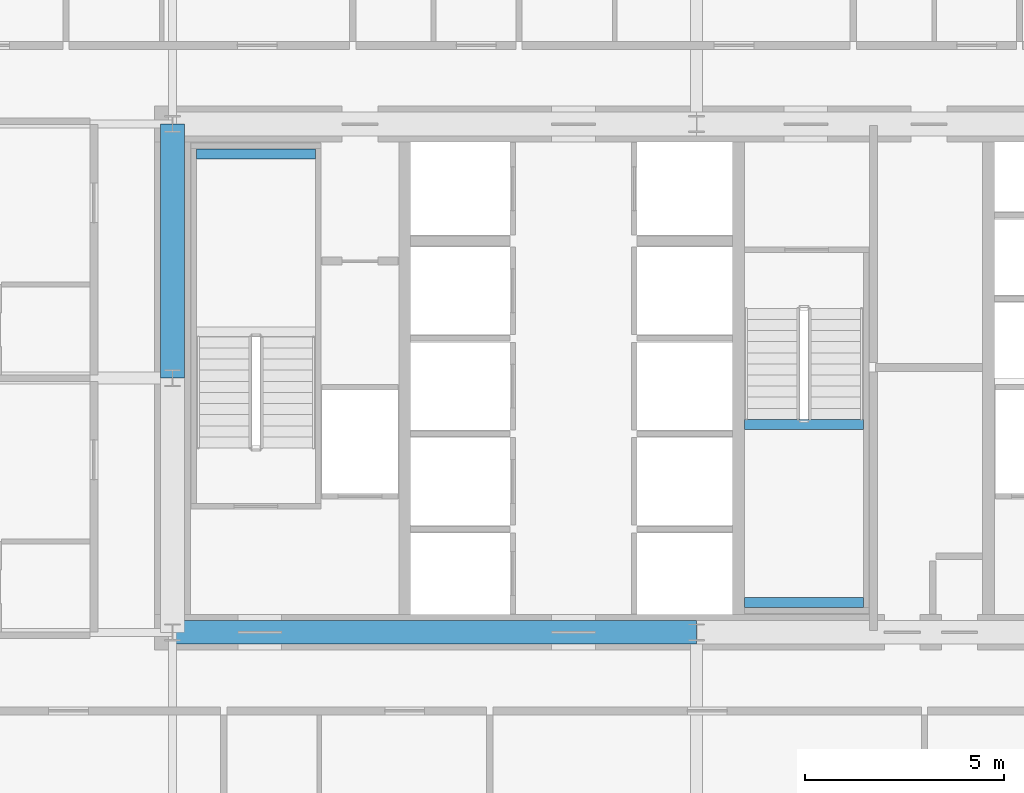
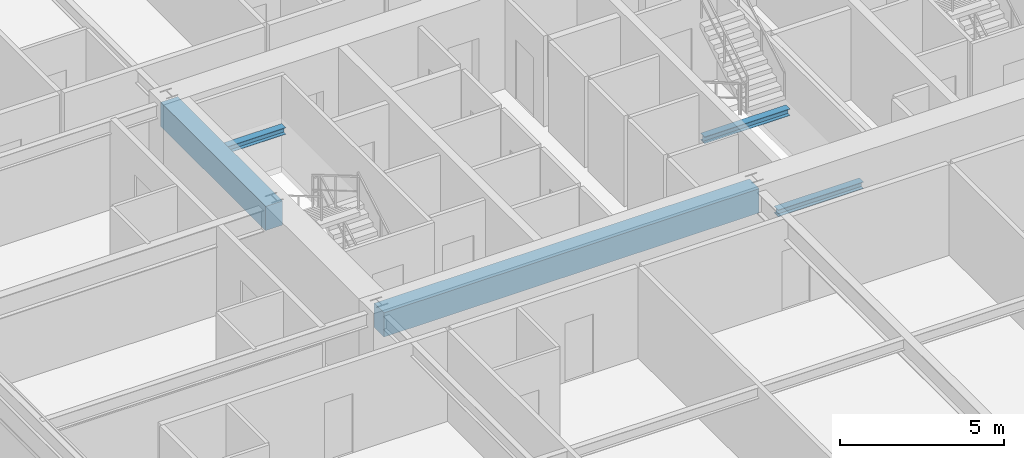
# One storey, part 13 of 45: 5 beams.
"""IFC4 building model written with IfcOpenShell, lengths in metres."""

import ifcopenshell
import ifcopenshell.guid

model = None  # the IFC model being written
_history = None  # IfcOwnerHistory: only IFC2X3 demands one
_inside = {}  # id of a spatial element -> (the spatial element, [elements in it])
_under = {}  # id of a project, library or spatial element -> (it, [spatial elements below it])
_declared = {}  # id of a project -> (the project, [libraries it declares])
_typed = {}  # id of a type object -> (the type object, [elements of that type])
_made_of = {}  # id of a material, layer set ... -> (it, [elements and type objects made of it])


def new_model(schema):
    """Start an empty IFC model of exactly this schema.

    Asked for "IFC4X3", IfcOpenShell would pick the latest addendum, in which some entities
    have other attributes; the version numbers below select the first issue.
    IFC2X3 requires an IfcOwnerHistory on every rooted entity: one is made here for all.
    """
    global model, _history
    if schema == "IFC4X3":
        model = ifcopenshell.file(schema_version=(4, 3, 0, 0))
    else:
        model = ifcopenshell.file(schema=schema)
    _inside.clear()
    _under.clear()
    _declared.clear()
    _typed.clear()
    _made_of.clear()
    _history = None
    if model.schema == "IFC2X3":
        org = make("IfcOrganization", Name="unknown")
        user = make(
            "IfcPersonAndOrganization",
            ThePerson=make("IfcPerson", FamilyName="unknown"),
            TheOrganization=org,
        )
        app = make(
            "IfcApplication",
            ApplicationDeveloper=org,
            Version="unknown",
            ApplicationFullName="unknown",
            ApplicationIdentifier="unknown",
        )
        _history = make(
            "IfcOwnerHistory",
            OwningUser=user,
            OwningApplication=app,
            ChangeAction="ADDED",
            CreationDate=0,
        )
    return model


def make(cls, **values):
    """One entity of the class cls with the attributes given. An attribute that is None is left unset."""
    return model.create_entity(
        cls, **{name: value for name, value in values.items() if value is not None}
    )


def rooted(cls, **values):
    """An entity with a GlobalId (a new one), such as an element, a storey or a relation."""
    return make(cls, GlobalId=ifcopenshell.guid.new(), OwnerHistory=_history, **values)


def si_unit(unit_type, name, prefix=None):
    """IfcSIUnit, for example si_unit("LENGTHUNIT", "METRE", prefix="MILLI")."""
    return make("IfcSIUnit", UnitType=unit_type, Prefix=prefix, Name=name)


def assignment(units):
    """IfcUnitAssignment: the units of a project."""
    return None if units is None else make("IfcUnitAssignment", Units=units)


def point(xyz):
    """IfcCartesianPoint."""
    return None if xyz is None else make("IfcCartesianPoint", Coordinates=xyz)


def direction(xyz):
    """IfcDirection."""
    return None if xyz is None else make("IfcDirection", DirectionRatios=xyz)


def frame(location, z_axis=None, x_axis=None):
    """IfcAxis2Placement3D, a coordinate frame: its origin and axes. An axis left out is left unset."""
    return make(
        "IfcAxis2Placement3D",
        Location=point(location),
        Axis=direction(z_axis),
        RefDirection=direction(x_axis),
    )


def frame_2d(location, x_axis=None):
    """IfcAxis2Placement2D, a coordinate frame in the plane: its origin and x axis."""
    return make(
        "IfcAxis2Placement2D", Location=point(location), RefDirection=direction(x_axis)
    )


def origin():
    """The frame at (0, 0, 0) with its axes left unset."""
    return frame((0.0, 0.0, 0.0))


def origin_2d():
    """The frame at (0, 0) in the plane with its x axis left unset."""
    return frame_2d((0.0, 0.0))


def place(relative_to, where):
    """IfcLocalPlacement: puts the frame where relative to a parent placement (None: the world)."""
    return make(
        "IfcLocalPlacement", PlacementRelTo=relative_to, RelativePlacement=where
    )


def context(
    kind, dimensions, precision=None, world=None, true_north=None, identifier=None
):
    """IfcGeometricRepresentationContext, for example the 3D "Model" context."""
    return make(
        "IfcGeometricRepresentationContext",
        ContextIdentifier=identifier,
        ContextType=kind,
        CoordinateSpaceDimension=dimensions,
        Precision=precision,
        WorldCoordinateSystem=world,
        TrueNorth=true_north,
    )


def subcontext(parent, identifier, kind, view, scale=None):
    """IfcGeometricRepresentationSubContext, for example "Body" below "Model"."""
    return make(
        "IfcGeometricRepresentationSubContext",
        ContextIdentifier=identifier,
        ContextType=kind,
        ParentContext=parent,
        TargetScale=scale,
        TargetView=view,
    )


def project(units=None, contexts=None):
    """IfcProject with its units and contexts."""
    return rooted(
        "IfcProject",
        Name="project",
        RepresentationContexts=contexts,
        UnitsInContext=assignment(units),
    )


def spatial(cls, under=None, at=None, **own):
    """A site, building, storey or space (cls), placed at a placement, below another one or the project."""
    s = rooted(cls, ObjectPlacement=at, **own)
    if under is not None:
        _under.setdefault(under.id(), (under, []))[1].append(s)
    return s


def profile(cls, at=None, kind="AREA", **sizes):
    """A parametric profile (cls). Its sizes go by their IFC names, for example OverallWidth=200.0."""
    return make(cls, ProfileType=kind, Position=at, **sizes)


def rectangle(**sizes):
    """IfcRectangleProfileDef."""
    return profile("IfcRectangleProfileDef", **sizes)


def i_section(**sizes):
    """IfcIShapeProfileDef."""
    return profile("IfcIShapeProfileDef", **sizes)


def extrude(swept, where, along, depth):
    """IfcExtrudedAreaSolid: the profile swept, set in the frame where, extruded along a direction by depth."""
    return make(
        "IfcExtrudedAreaSolid",
        SweptArea=swept,
        Position=where,
        ExtrudedDirection=direction(along),
        Depth=depth,
    )


def shape(context_of_items, identifier, shape_type, items):
    """IfcShapeRepresentation: the items that make up one representation, for example the "Body"."""
    return make(
        "IfcShapeRepresentation",
        ContextOfItems=context_of_items,
        RepresentationIdentifier=identifier,
        RepresentationType=shape_type,
        Items=items,
    )


def source(mapping_origin, context_of_items, identifier, shape_type, items):
    """IfcRepresentationMap: a shape defined once, which mapped items show again and again."""
    return make(
        "IfcRepresentationMap",
        MappingOrigin=mapping_origin,
        MappedRepresentation=shape(context_of_items, identifier, shape_type, items),
    )


def transform(
    local_origin,
    x_axis=None,
    y_axis=None,
    z_axis=None,
    scale=None,
    scale2=None,
    scale3=None,
    uniform=True,
):
    """IfcCartesianTransformationOperator3D, or its non-uniform kind. x_axis, y_axis, z_axis: its Axis1, 2, 3."""
    if uniform:
        return make(
            "IfcCartesianTransformationOperator3D",
            Axis1=direction(x_axis),
            Axis2=direction(y_axis),
            LocalOrigin=point(local_origin),
            Scale=scale,
            Axis3=direction(z_axis),
        )
    return make(
        "IfcCartesianTransformationOperator3DnonUniform",
        Axis1=direction(x_axis),
        Axis2=direction(y_axis),
        LocalOrigin=point(local_origin),
        Scale=scale,
        Axis3=direction(z_axis),
        Scale2=scale2,
        Scale3=scale3,
    )


def mapped(mapping_source, mapping_target):
    """IfcMappedItem: shows the shape of a source again, moved by a transform."""
    return make(
        "IfcMappedItem", MappingSource=mapping_source, MappingTarget=mapping_target
    )


def material(Name=None, Category=None):
    """IfcMaterial."""
    return make("IfcMaterial", Name=Name, Category=Category)


def material_profile(
    of_material, cross_section, Name=None, Category=None, Priority=None
):
    """IfcMaterialProfile: a cross section and its material."""
    return make(
        "IfcMaterialProfile",
        Name=Name,
        Material=of_material,
        Profile=cross_section,
        Priority=Priority,
        Category=Category,
    )


def profile_set(profiles, Name=None, composite=None):
    """IfcMaterialProfileSet."""
    return make(
        "IfcMaterialProfileSet",
        Name=Name,
        MaterialProfiles=profiles,
        CompositeProfile=composite,
    )


def made_of(thing, what):
    """Note that an element or type object is made of a material, layer set ...; save() writes the relation."""
    if what is not None:
        _made_of.setdefault(what.id(), (what, []))[1].append(thing)
    return thing


def type_object(cls, material=None, **own):
    """A type object (cls), such as IfcWallType, which elements share."""
    return made_of(rooted(cls, **own), material)


def element(
    cls,
    number,
    at=None,
    inside=None,
    cuts=None,
    type_object=None,
    material=None,
    context=None,
    identifier="Body",
    shape_type=None,
    held_by="IfcProductDefinitionShape",
    body=None,
    shapes=None,
    **own,
):
    """One element of the class cls, such as IfcWall. Its Tag is "e" and its number.

    at: its placement. inside: the storey or other place that contains it. cuts: it is an
    opening in that element (IfcRelVoidsElement). A single representation is given by context,
    identifier, shape_type and body (its items); several are given by shapes. held_by: the class
    of the entity that holds the representations. save() writes the other relations.
    """
    e = rooted(cls, Tag="e%d" % number, ObjectPlacement=at, **own)
    if body is not None:
        shapes = [shape(context, identifier, shape_type, body)]
    if shapes is not None:
        e.Representation = make(held_by, Representations=shapes)
    if inside is not None:
        _inside.setdefault(inside.id(), (inside, []))[1].append(e)
    if cuts is not None:
        rooted(
            "IfcRelVoidsElement", RelatingBuildingElement=cuts, RelatedOpeningElement=e
        )
    if type_object is not None:
        _typed.setdefault(type_object.id(), (type_object, []))[1].append(e)
    return made_of(e, material)


def aggregate(whole, parts):
    """IfcRelAggregates: a whole, such as a stair, and the parts it consists of."""
    return rooted("IfcRelAggregates", RelatingObject=whole, RelatedObjects=parts)


def save(model, path):
    """Write the relations noted so far, then the file.

    IfcRelAggregates (storeys below a building ...), IfcRelContainedInSpatialStructure (elements
    in a storey), IfcRelDefinesByType, IfcRelAssociatesMaterial and IfcRelDeclares: one each for
    every whole, place, type object, material and project.
    """
    for whole, parts in _under.values():
        aggregate(whole, parts)
    for where, things in _inside.values():
        rooted(
            "IfcRelContainedInSpatialStructure",
            RelatedElements=things,
            RelatingStructure=where,
        )
    for kind, things in _typed.values():
        rooted("IfcRelDefinesByType", RelatedObjects=things, RelatingType=kind)
    for what, things in _made_of.values():
        rooted("IfcRelAssociatesMaterial", RelatedObjects=things, RelatingMaterial=what)
    for by, libraries in _declared.values():
        rooted("IfcRelDeclares", RelatingContext=by, RelatedDefinitions=libraries)
    model.write(path)


model = new_model("IFC4")

# Units and contexts
model_context = context("Model", 3, precision=1e-05, world=origin(), true_north=direction((0.0, 1.0)))
body_context = subcontext(model_context, "Body", "Model", "MODEL_VIEW")
ifc_project = project(units=[si_unit("LENGTHUNIT", "METRE"), si_unit("AREAUNIT", "SQUARE_METRE"), si_unit("VOLUMEUNIT", "CUBIC_METRE"), si_unit("PLANEANGLEUNIT", "RADIAN"), si_unit("MASSUNIT", "GRAM", prefix="KILO"), si_unit("THERMODYNAMICTEMPERATUREUNIT", "KELVIN"), si_unit("POWERUNIT", "WATT")], contexts=[model_context])

# Site, building, storey
site_placement = place(None, origin())
site = spatial("IfcSite", under=ifc_project, at=site_placement, CompositionType="ELEMENT")
building_placement = place(site_placement, origin())
building = spatial("IfcBuilding", under=site, at=building_placement, Name="Yuzanri Waterfront Tower", CompositionType="ELEMENT")
storey_placement = place(building_placement, frame((0.0, 0.0, 49.60009765625)))
storey = spatial("IfcBuildingStorey", under=building, at=storey_placement, Name="L12", CompositionType="ELEMENT", Elevation=49.60009765625)

# Beams
ifc_material_1 = material(Name="Concrete C60", Category="concrete")
ifc_material_profile_1 = material_profile(ifc_material_1, rectangle(XDim=0.60009765625, YDim=0.89990234375, at=origin_2d()), Name="RC 600x900")
ifc_profile_set_1 = profile_set([ifc_material_profile_1], Name="Concrete C60")
beam_type_1 = type_object("IfcBeamType", Name="Core Coupling Lintel Concrete C60 600x900", PredefinedType="LINTEL", material=ifc_profile_set_1)
shared_shape_1 = source(origin(), body_context, "Body", "SweptSolid", [
    extrude(rectangle(XDim=0.60009765625, YDim=0.89990234375, at=origin_2d()), origin(), (0.0, 0.0, 1.0), 13.199951171875),
])
beam_1_placement = place(storey_placement, frame((23.800048828125, 19.39990234375, 2.929931640625), z_axis=(1.0, 0.0, 0.0), x_axis=(0.0, 1.0, 0.0)))
element("IfcBeam", 1, at=beam_1_placement, inside=storey, type_object=beam_type_1, Name="L12 Core Tie Beam CS1", PredefinedType="LINTEL", context=body_context, shape_type="MappedRepresentation", body=[
    mapped(shared_shape_1, transform((0.0, 0.0, 0.0), scale=1.0)),
])
shared_shape_2 = source(origin(), body_context, "Body", "SweptSolid", [
    extrude(rectangle(XDim=0.60009765625, YDim=0.89990234375, at=origin_2d()), origin(), (0.0, 0.0, 1.0), 6.39990234375),
])
beam_2_placement = place(storey_placement, frame((23.800048828125, 25.800048828125, 2.929931640625), z_axis=(0.0, 1.0, 0.0), x_axis=(-1.0, 0.0, 0.0)))
element("IfcBeam", 2, at=beam_2_placement, inside=storey, type_object=beam_type_1, Name="L12 Core Tie Beam CW2", PredefinedType="LINTEL", context=body_context, shape_type="MappedRepresentation", body=[
    mapped(shared_shape_2, transform((0.0, 0.0, 0.0), scale=1.0)),
])
ifc_material_2 = material(Name="Steel Q355B", Category="steel")
ifc_material_profile_2 = material_profile(ifc_material_2, i_section(OverallWidth=0.25, OverallDepth=0.25, WebThickness=0.009033203125, FlangeThickness=0.013916015625, at=origin_2d()), Name="HW 250x250x9x14")
ifc_profile_set_2 = profile_set([ifc_material_profile_2], Name="Steel Q355B")
beam_type_2 = type_object("IfcBeamType", Name="Stair Landing Support Beam Q355B HW 250x250", PredefinedType="BEAM", material=ifc_profile_set_2)
shared_shape_3 = source(origin(), body_context, "Body", "SweptSolid", [
    extrude(i_section(OverallWidth=0.25, OverallDepth=0.25, WebThickness=0.009033203125, FlangeThickness=0.013916015625, at=origin_2d()), origin(), (0.0, 0.0, 1.0), 3.0),
])
for number, where, z_axis, x_axis, name in (
    (3, (24.39990234375, 31.449951171875, 1.474853515625), (1.0, 0.0, 0.0), (0.0, 1.0, 0.0), "L12 Stair Landing Support Beam ST-01-L12-L1-2"),
    (4, (38.199951171875, 20.14990234375, 1.474853515625), (1.0, 0.0, 0.0), (0.0, 1.0, 0.0), "L12 Stair Landing Support Beam ST-03-L12-L1-1"),
    (5, (38.199951171875, 24.6298828125, 1.474853515625), (1.0, 0.0, 0.0), (0.0, 1.0, 0.0), "L12 Stair Landing Support Beam ST-03-L12-L1-2"),
):
    element("IfcBeam", number, at=place(storey_placement, frame(where, z_axis=z_axis, x_axis=x_axis)), inside=storey, type_object=beam_type_2, Name=name, PredefinedType="BEAM", context=body_context, shape_type="MappedRepresentation", body=[
        mapped(shared_shape_3, transform((0.0, 0.0, 0.0), scale=1.0)),
    ])

save(model, "model.ifc")
